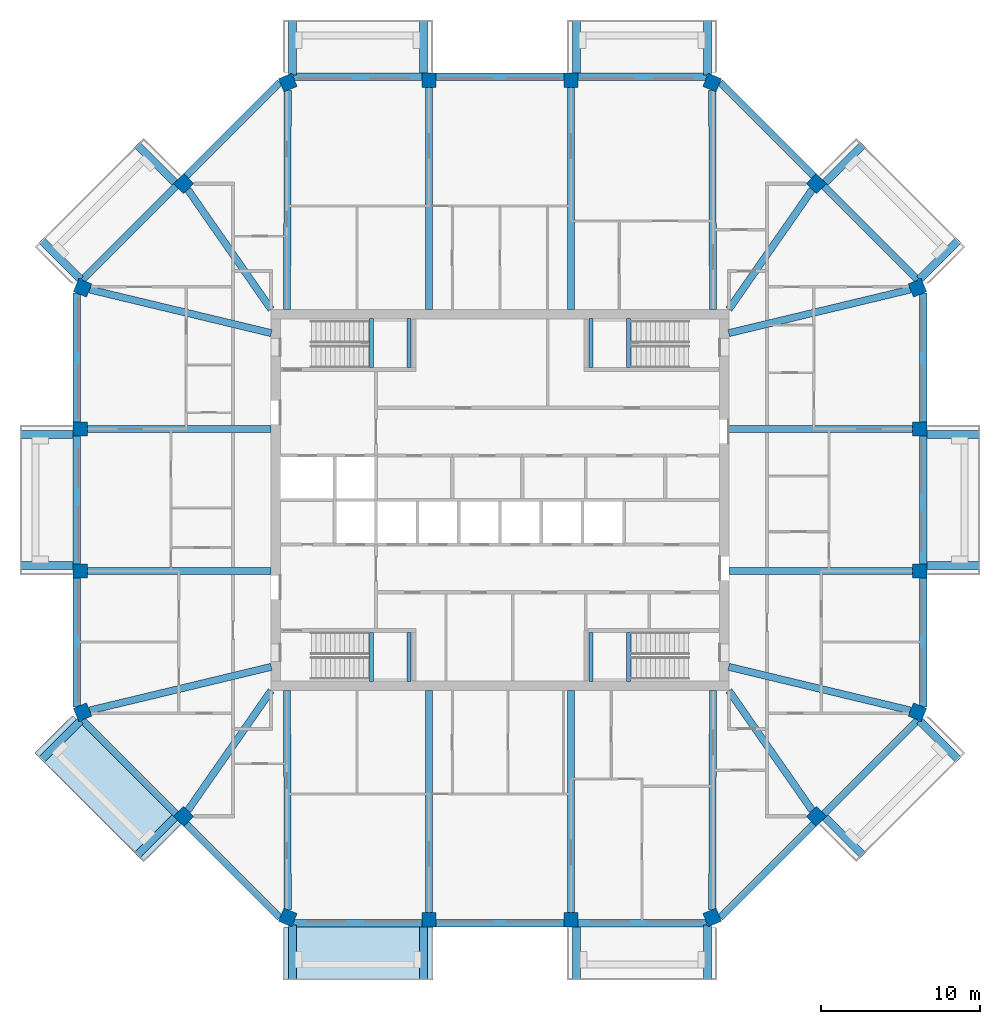
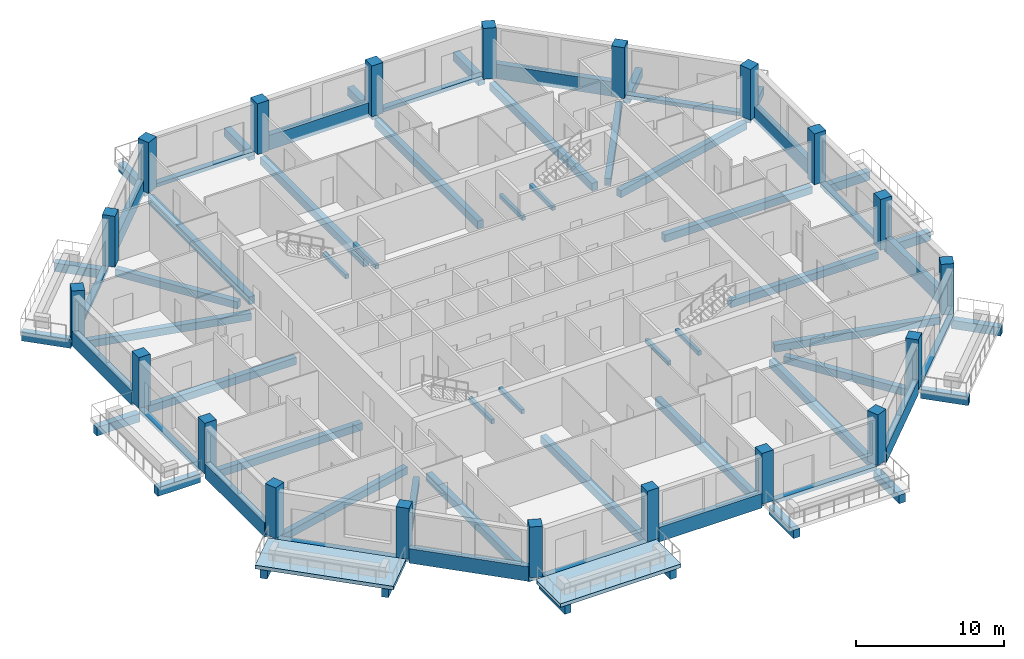
# One storey, part 1 of 12: 68 beams, 20 columns, 2 slabs.
"""IFC4 building model written with IfcOpenShell, lengths in metres."""

from ifc_helpers import new_model, si_unit, direction, frame, origin, origin_2d, place, context, subcontext, project, spatial, polyline, rectangle, outline, extrude, material, layer, layer_set, material_profile, profile_set, type_object, element, save


model = new_model("IFC4")

# Units and contexts
model_context = context("Model", 3, precision=1e-05, world=origin(), true_north=direction((0.0, 1.0)))
body_context = subcontext(model_context, "Body", "Model", "MODEL_VIEW")
ifc_project = project(units=[si_unit("LENGTHUNIT", "METRE"), si_unit("AREAUNIT", "SQUARE_METRE"), si_unit("VOLUMEUNIT", "CUBIC_METRE"), si_unit("PLANEANGLEUNIT", "RADIAN"), si_unit("MASSUNIT", "GRAM", prefix="KILO")], contexts=[model_context])

# Site, building, storey
site_placement = place(None, origin())
site = spatial("IfcSite", under=ifc_project, at=site_placement, CompositionType="ELEMENT")
building_placement = place(site_placement, origin())
building = spatial("IfcBuilding", under=site, at=building_placement, Name="Msitu Wima Residences", CompositionType="ELEMENT")
storey_placement = place(building_placement, frame((0.0, 0.0, 222.300048828125)))
storey = spatial("IfcBuildingStorey", under=building, at=storey_placement, Name="L51", CompositionType="ELEMENT", Elevation=222.300048828125)

# Columns
ifc_material_1 = material(Name="Concrete C50/60", Category="concrete")
ifc_material_profile_1 = material_profile(ifc_material_1, rectangle(XDim=0.89990234375, YDim=0.89990234375, at=origin_2d()), Name="RC 900x900")
ifc_profile_set_1 = profile_set([ifc_material_profile_1], Name="Concrete C50/60")
column_type = type_object("IfcColumnType", Name="Column RC 900x900 Concrete C50/60", PredefinedType="COLUMN", material=ifc_profile_set_1)
for number, where, z_axis, x_axis, name in (
    (1, (26.261962890625, -13.3486328125, 0.0), (0.0, 0.0, 1.0), (0.382683496864, 0.923879505795, 0.0), "Column L51 C-E0"),
    (2, (26.39990234375, -4.46875, 0.0), (0.0, 0.0, 1.0), (0.0, 1.0, 0.0), "Column L51 C-E1"),
    (3, (26.39990234375, 4.46875, 0.0), (0.0, 0.0, 1.0), (0.0, 1.0, 0.0), "Column L51 C-E2"),
    (4, (26.261962890625, 13.3486328125, 0.0), (0.0, 0.0, 1.0), (-0.382683496864, 0.923879505795, 0.0), "Column L51 C-NE0"),
    (5, (19.90283203125, 19.90283203125, 0.0), (0.0, 0.0, 1.0), (-0.707106781187, 0.707106781187, 0.0), "Column L51 C-NE1"),
    (6, (13.3486328125, 26.261962890625, 0.0), (0.0, 0.0, 1.0), (-0.923879505795, 0.382683496864, 0.0), "Column L51 C-N0"),
    (7, (4.46875, 26.39990234375, 0.0), (0.0, 0.0, 1.0), (-1.0, 0.0, 0.0), "Column L51 C-N1"),
    (8, (-4.46875, 26.39990234375, 0.0), (0.0, 0.0, 1.0), (-1.0, 0.0, 0.0), "Column L51 C-N2"),
    (9, (-13.3486328125, 26.261962890625, 0.0), (0.0, 0.0, 1.0), (-0.923879505795, -0.382683496864, 0.0), "Column L51 C-NW0"),
    (10, (-19.90283203125, 19.90283203125, 0.0), (0.0, 0.0, 1.0), (-0.707106781187, -0.707106781187, 0.0), "Column L51 C-NW1"),
    (11, (-26.261962890625, 13.3486328125, 0.0), (0.0, 0.0, 1.0), (-0.382683496864, -0.923879505795, 0.0), "Column L51 C-W0"),
    (12, (-26.39990234375, 4.46875, 0.0), (0.0, 0.0, 1.0), (0.0, -1.0, 0.0), "Column L51 C-W1"),
    (13, (-26.39990234375, -4.46875, 0.0), (0.0, 0.0, 1.0), (0.0, -1.0, 0.0), "Column L51 C-W2"),
    (14, (-26.261962890625, -13.3486328125, 0.0), (0.0, 0.0, 1.0), (0.382683496864, -0.923879505795, 0.0), "Column L51 C-SW0"),
    (15, (-19.90283203125, -19.90283203125, 0.0), (0.0, 0.0, 1.0), (0.707106781187, -0.707106781187, 0.0), "Column L51 C-SW1"),
    (16, (-13.3486328125, -26.261962890625, 0.0), (0.0, 0.0, 1.0), (0.923879505795, -0.382683496864, 0.0), "Column L51 C-S0"),
    (17, (-4.46875, -26.39990234375, 0.0), (0.0, 0.0, 1.0), (1.0, 0.0, 0.0), "Column L51 C-S1"),
    (18, (4.46875, -26.39990234375, 0.0), (0.0, 0.0, 1.0), (1.0, 0.0, 0.0), "Column L51 C-S2"),
    (19, (13.3486328125, -26.261962890625, 0.0), (0.0, 0.0, 1.0), (0.923879505795, 0.382683496864, 0.0), "Column L51 C-SE0"),
    (20, (19.90283203125, -19.90283203125, 0.0), (0.0, 0.0, 1.0), (0.707106781187, 0.707106781187, 0.0), "Column L51 C-SE1"),
):
    element("IfcColumn", number, at=place(storey_placement, frame(where, z_axis=z_axis, x_axis=x_axis)), inside=storey, type_object=column_type, Name=name, PredefinedType="COLUMN", context=body_context, shape_type="SweptSolid", body=[
        extrude(rectangle(XDim=0.89990234375, YDim=0.89990234375, at=origin_2d()), origin(), (0.0, 0.0, 1.0), 4.199951171875),
    ])

# Beams
ifc_material_profile_2 = material_profile(ifc_material_1, rectangle(XDim=0.449951171875, YDim=0.60009765625, at=origin_2d()), Name="RC 450x600")
ifc_profile_set_2 = profile_set([ifc_material_profile_2], Name="Concrete C50/60")
beam_type_1 = type_object("IfcBeamType", Name="Beam RC 450x600 Concrete C50/60", PredefinedType="BEAM", material=ifc_profile_set_2)
beam_1_placement = place(storey_placement, frame((25.819091796875, -13.242431640625, -0.550048828125), z_axis=(-0.972353359268, 0.233514335148, 0.0), x_axis=(-0.233514335148, -0.972353359268, 0.0)))
element("IfcBeam", 21, at=beam_1_placement, inside=storey, type_object=beam_type_1, Name="Beam L51 C-E0", PredefinedType="BEAM", context=body_context, shape_type="SweptSolid", body=[
    extrude(rectangle(XDim=0.449951171875, YDim=0.60009765625, at=origin_2d()), origin(), (0.0, 0.0, 1.0), 11.755615234375),
])
for number, where, z_axis, x_axis, name in (
    (22, (25.949951171875, -4.46875, -0.550048828125), (-1.0, 0.0, 0.0), (0.0, -1.0, 0.0), "Beam L51 C-E1"),
    (23, (25.949951171875, 4.46875, -0.550048828125), (-1.0, 0.0, 0.0), (0.0, -1.0, 0.0), "Beam L51 C-E2"),
):
    element("IfcBeam", number, at=place(storey_placement, frame(where, z_axis=z_axis, x_axis=x_axis)), inside=storey, type_object=beam_type_1, Name=name, PredefinedType="BEAM", context=body_context, shape_type="SweptSolid", body=[
        extrude(rectangle(XDim=0.449951171875, YDim=0.60009765625, at=origin_2d()), origin(), (0.0, 0.0, 1.0), 11.550048828125),
    ])
beam_2_placement = place(storey_placement, frame((25.819091796875, 13.242431640625, -0.550048828125), z_axis=(-0.972353359268, -0.233514335148, 0.0), x_axis=(0.233514335148, -0.972353359268, 0.0)))
element("IfcBeam", 24, at=beam_2_placement, inside=storey, type_object=beam_type_1, Name="Beam L51 C-NE0", PredefinedType="BEAM", context=body_context, shape_type="SweptSolid", body=[
    extrude(rectangle(XDim=0.449951171875, YDim=0.60009765625, at=origin_2d()), origin(), (0.0, 0.0, 1.0), 11.755615234375),
])
for number, where, z_axis, x_axis, name in (
    (25, (19.6416015625, 19.52783203125, -0.550048828125), (-0.571427822633, -0.820652328042, 0.0), (0.820652328042, -0.571427822633, 0.0), "Beam L51 C-NE1"),
    (26, (-19.6416015625, 19.52783203125, -0.550048828125), (0.571427822633, -0.820652328042, 0.0), (0.820652328042, 0.571427822633, 0.0), "Beam L51 C-NW1"),
):
    element("IfcBeam", number, at=place(storey_placement, frame(where, z_axis=z_axis, x_axis=x_axis)), inside=storey, type_object=beam_type_1, Name=name, PredefinedType="BEAM", context=body_context, shape_type="SweptSolid", body=[
        extrude(rectangle(XDim=0.449951171875, YDim=0.60009765625, at=origin_2d()), origin(), (0.0, 0.0, 1.0), 9.173095703125),
    ])
beam_3_placement = place(storey_placement, frame((-25.819091796875, 13.242431640625, -0.550048828125), z_axis=(0.972353359268, -0.233514335148, 0.0), x_axis=(0.233514335148, 0.972353359268, 0.0)))
element("IfcBeam", 27, at=beam_3_placement, inside=storey, type_object=beam_type_1, Name="Beam L51 C-W0", PredefinedType="BEAM", context=body_context, shape_type="SweptSolid", body=[
    extrude(rectangle(XDim=0.449951171875, YDim=0.60009765625, at=origin_2d()), origin(), (0.0, 0.0, 1.0), 11.755615234375),
])
for number, where, z_axis, x_axis, name in (
    (28, (-25.949951171875, 4.46875, -0.550048828125), (1.0, 0.0, 0.0), (0.0, 1.0, 0.0), "Beam L51 C-W1"),
    (29, (-25.949951171875, -4.46875, -0.550048828125), (1.0, 0.0, 0.0), (0.0, 1.0, 0.0), "Beam L51 C-W2"),
):
    element("IfcBeam", number, at=place(storey_placement, frame(where, z_axis=z_axis, x_axis=x_axis)), inside=storey, type_object=beam_type_1, Name=name, PredefinedType="BEAM", context=body_context, shape_type="SweptSolid", body=[
        extrude(rectangle(XDim=0.449951171875, YDim=0.60009765625, at=origin_2d()), origin(), (0.0, 0.0, 1.0), 11.550048828125),
    ])
beam_4_placement = place(storey_placement, frame((-25.819091796875, -13.242431640625, -0.550048828125), z_axis=(0.972353359268, 0.233514335148, 0.0), x_axis=(-0.233514335148, 0.972353359268, 0.0)))
element("IfcBeam", 30, at=beam_4_placement, inside=storey, type_object=beam_type_1, Name="Beam L51 C-SW0", PredefinedType="BEAM", context=body_context, shape_type="SweptSolid", body=[
    extrude(rectangle(XDim=0.449951171875, YDim=0.60009765625, at=origin_2d()), origin(), (0.0, 0.0, 1.0), 11.755615234375),
])
for number, where, z_axis, x_axis, name in (
    (31, (-19.6416015625, -19.52783203125, -0.550048828125), (0.571427822633, 0.820652328042, 0.0), (-0.820652328042, 0.571427822633, 0.0), "Beam L51 C-SW1"),
    (32, (19.6416015625, -19.52783203125, -0.550048828125), (-0.571427822633, 0.820652328042, 0.0), (-0.820652328042, -0.571427822633, 0.0), "Beam L51 C-SE1"),
):
    element("IfcBeam", number, at=place(storey_placement, frame(where, z_axis=z_axis, x_axis=x_axis)), inside=storey, type_object=beam_type_1, Name=name, PredefinedType="BEAM", context=body_context, shape_type="SweptSolid", body=[
        extrude(rectangle(XDim=0.449951171875, YDim=0.60009765625, at=origin_2d()), origin(), (0.0, 0.0, 1.0), 9.173095703125),
    ])
ifc_material_profile_3 = material_profile(ifc_material_1, rectangle(XDim=0.449951171875, YDim=0.64990234375, at=origin_2d()), Name="RC 450x650")
ifc_profile_set_3 = profile_set([ifc_material_profile_3], Name="Concrete C50/60")
beam_type_2 = type_object("IfcBeamType", Name="Beam RC 450x650 Concrete C50/60", PredefinedType="BEAM", material=ifc_profile_set_3)
beam_5_placement = place(storey_placement, frame((13.3505859375, 25.774169921875, -0.574951171875), z_axis=(0.003594933206, -0.999993538207, 0.0), x_axis=(0.999993538207, 0.003594933206, 0.0)))
element("IfcBeam", 33, at=beam_5_placement, inside=storey, type_object=beam_type_2, Name="Beam L51 C-N0", PredefinedType="BEAM", context=body_context, shape_type="SweptSolid", body=[
    extrude(rectangle(XDim=0.449951171875, YDim=0.64990234375, at=origin_2d()), origin(), (0.0, 0.0, 1.0), 13.7861328125),
])
for number, where, z_axis, x_axis, name in (
    (34, (4.46875, 25.949951171875, -0.574951171875), (0.0, -1.0, 0.0), (1.0, 0.0, 0.0), "Beam L51 C-N1"),
    (35, (-4.46875, 25.949951171875, -0.574951171875), (0.0, -1.0, 0.0), (1.0, 0.0, 0.0), "Beam L51 C-N2"),
):
    element("IfcBeam", number, at=place(storey_placement, frame(where, z_axis=z_axis, x_axis=x_axis)), inside=storey, type_object=beam_type_2, Name=name, PredefinedType="BEAM", context=body_context, shape_type="SweptSolid", body=[
        extrude(rectangle(XDim=0.449951171875, YDim=0.64990234375, at=origin_2d()), origin(), (0.0, 0.0, 1.0), 13.949951171875),
    ])
for number, where, z_axis, x_axis, name in (
    (36, (-13.3505859375, 25.774169921875, -0.574951171875), (-0.003594933206, -0.999993538207, 0.0), (0.999993538207, -0.003594933206, 0.0), "Beam L51 C-NW0"),
    (37, (-13.3505859375, -25.774169921875, -0.574951171875), (-0.003594933206, 0.999993538207, 0.0), (-0.999993538207, -0.003594933206, 0.0), "Beam L51 C-S0"),
):
    element("IfcBeam", number, at=place(storey_placement, frame(where, z_axis=z_axis, x_axis=x_axis)), inside=storey, type_object=beam_type_2, Name=name, PredefinedType="BEAM", context=body_context, shape_type="SweptSolid", body=[
        extrude(rectangle(XDim=0.449951171875, YDim=0.64990234375, at=origin_2d()), origin(), (0.0, 0.0, 1.0), 13.7861328125),
    ])
for number, where, z_axis, x_axis, name in (
    (38, (-4.46875, -25.949951171875, -0.574951171875), (0.0, 1.0, 0.0), (-1.0, 0.0, 0.0), "Beam L51 C-S1"),
    (39, (4.46875, -25.949951171875, -0.574951171875), (0.0, 1.0, 0.0), (-1.0, 0.0, 0.0), "Beam L51 C-S2"),
):
    element("IfcBeam", number, at=place(storey_placement, frame(where, z_axis=z_axis, x_axis=x_axis)), inside=storey, type_object=beam_type_2, Name=name, PredefinedType="BEAM", context=body_context, shape_type="SweptSolid", body=[
        extrude(rectangle(XDim=0.449951171875, YDim=0.64990234375, at=origin_2d()), origin(), (0.0, 0.0, 1.0), 13.949951171875),
    ])
beam_6_placement = place(storey_placement, frame((13.3505859375, -25.774169921875, -0.574951171875), z_axis=(0.003594933206, 0.999993538207, 0.0), x_axis=(-0.999993538207, 0.003594933206, 0.0)))
element("IfcBeam", 40, at=beam_6_placement, inside=storey, type_object=beam_type_2, Name="Beam L51 C-SE0", PredefinedType="BEAM", context=body_context, shape_type="SweptSolid", body=[
    extrude(rectangle(XDim=0.449951171875, YDim=0.64990234375, at=origin_2d()), origin(), (0.0, 0.0, 1.0), 13.7861328125),
])
ifc_material_profile_4 = material_profile(ifc_material_1, rectangle(XDim=0.5, YDim=0.699951171875, at=origin_2d()), Name="RC 500x700")
ifc_profile_set_4 = profile_set([ifc_material_profile_4], Name="Concrete C50/60")
beam_type_3 = type_object("IfcBeamType", Name="Cantilever beam RC 500x700 Concrete C50/60", PredefinedType="BEAM", material=ifc_profile_set_4)
for number, where, z_axis, x_axis, name in (
    (41, (26.85009765625, -4.11865234375, -0.650146484375), (1.0, 0.0, 0.0), (0.0, 1.0, 0.0), "Cantilever beam L51 BA-E1 A"),
    (42, (26.85009765625, 4.11865234375, -0.650146484375), (1.0, 0.0, 0.0), (0.0, 1.0, 0.0), "Cantilever beam L51 BA-E1 B"),
):
    element("IfcBeam", number, at=place(storey_placement, frame(where, z_axis=z_axis, x_axis=x_axis)), inside=storey, type_object=beam_type_3, Name=name, PredefinedType="BEAM", context=body_context, shape_type="SweptSolid", body=[
        extrude(rectangle(XDim=0.5, YDim=0.699951171875, at=origin_2d()), origin(), (0.0, 0.0, 1.0), 3.349853515625),
    ])
beam_7_placement = place(storey_placement, frame((26.386474609375, 13.887451171875, -0.650146484375), z_axis=(0.707141968506, 0.707071592116, 0.0), x_axis=(-0.707071592116, 0.707141968506, 0.0)))
element("IfcBeam", 43, at=beam_7_placement, inside=storey, type_object=beam_type_3, Name="Cantilever beam L51 BA-NE0 A", PredefinedType="BEAM", context=body_context, shape_type="SweptSolid", body=[
    extrude(rectangle(XDim=0.5, YDim=0.699951171875, at=origin_2d()), origin(), (0.0, 0.0, 1.0), 3.468994140625),
])
beam_8_placement = place(storey_placement, frame((20.46875, 19.9736328125, -0.650146484375), z_axis=(0.707070340836, 0.707143219659, 0.0), x_axis=(-0.707143219659, 0.707070340836, 0.0)))
element("IfcBeam", 44, at=beam_8_placement, inside=storey, type_object=beam_type_3, Name="Cantilever beam L51 BA-NE0 B", PredefinedType="BEAM", context=body_context, shape_type="SweptSolid", body=[
    extrude(rectangle(XDim=0.5, YDim=0.699951171875, at=origin_2d()), origin(), (0.0, 0.0, 1.0), 3.349853515625),
])
beam_9_placement = place(storey_placement, frame((13.055908203125, 26.73095703125, -0.650146484375), z_axis=(0.0, 1.0, 0.0), x_axis=(-1.0, 0.0, 0.0)))
element("IfcBeam", 45, at=beam_9_placement, inside=storey, type_object=beam_type_3, Name="Cantilever beam L51 BA-N0 A", PredefinedType="BEAM", context=body_context, shape_type="SweptSolid", body=[
    extrude(rectangle(XDim=0.5, YDim=0.699951171875, at=origin_2d()), origin(), (0.0, 0.0, 1.0), 3.468994140625),
])
for number, where, z_axis, x_axis, name in (
    (46, (4.818603515625, 26.85009765625, -0.650146484375), (0.0, 1.0, 0.0), (-1.0, 0.0, 0.0), "Cantilever beam L51 BA-N0 B"),
    (47, (-4.818603515625, 26.85009765625, -0.650146484375), (0.0, 1.0, 0.0), (-1.0, 0.0, 0.0), "Cantilever beam L51 BA-N2 A"),
):
    element("IfcBeam", number, at=place(storey_placement, frame(where, z_axis=z_axis, x_axis=x_axis)), inside=storey, type_object=beam_type_3, Name=name, PredefinedType="BEAM", context=body_context, shape_type="SweptSolid", body=[
        extrude(rectangle(XDim=0.5, YDim=0.699951171875, at=origin_2d()), origin(), (0.0, 0.0, 1.0), 3.349853515625),
    ])
beam_10_placement = place(storey_placement, frame((-13.055908203125, 26.73095703125, -0.650146484375), z_axis=(0.0, 1.0, 0.0), x_axis=(-1.0, 0.0, 0.0)))
element("IfcBeam", 48, at=beam_10_placement, inside=storey, type_object=beam_type_3, Name="Cantilever beam L51 BA-N2 B", PredefinedType="BEAM", context=body_context, shape_type="SweptSolid", body=[
    extrude(rectangle(XDim=0.5, YDim=0.699951171875, at=origin_2d()), origin(), (0.0, 0.0, 1.0), 3.468994140625),
])
beam_11_placement = place(storey_placement, frame((-20.46875, 19.9736328125, -0.650146484375), z_axis=(-0.707070340836, 0.707143219659, 0.0), x_axis=(-0.707143219659, -0.707070340836, 0.0)))
element("IfcBeam", 49, at=beam_11_placement, inside=storey, type_object=beam_type_3, Name="Cantilever beam L51 BA-NW1 A", PredefinedType="BEAM", context=body_context, shape_type="SweptSolid", body=[
    extrude(rectangle(XDim=0.5, YDim=0.699951171875, at=origin_2d()), origin(), (0.0, 0.0, 1.0), 3.349853515625),
])
beam_12_placement = place(storey_placement, frame((-26.386474609375, 13.887451171875, -0.650146484375), z_axis=(-0.707141968506, 0.707071592116, 0.0), x_axis=(-0.707071592116, -0.707141968506, 0.0)))
element("IfcBeam", 50, at=beam_12_placement, inside=storey, type_object=beam_type_3, Name="Cantilever beam L51 BA-NW1 B", PredefinedType="BEAM", context=body_context, shape_type="SweptSolid", body=[
    extrude(rectangle(XDim=0.5, YDim=0.699951171875, at=origin_2d()), origin(), (0.0, 0.0, 1.0), 3.468994140625),
])
for number, where, z_axis, x_axis, name in (
    (51, (-26.85009765625, 4.11865234375, -0.650146484375), (-1.0, 0.0, 0.0), (0.0, -1.0, 0.0), "Cantilever beam L51 BA-W1 A"),
    (52, (-26.85009765625, -4.11865234375, -0.650146484375), (-1.0, 0.0, 0.0), (0.0, -1.0, 0.0), "Cantilever beam L51 BA-W1 B"),
):
    element("IfcBeam", number, at=place(storey_placement, frame(where, z_axis=z_axis, x_axis=x_axis)), inside=storey, type_object=beam_type_3, Name=name, PredefinedType="BEAM", context=body_context, shape_type="SweptSolid", body=[
        extrude(rectangle(XDim=0.5, YDim=0.699951171875, at=origin_2d()), origin(), (0.0, 0.0, 1.0), 3.349853515625),
    ])
beam_13_placement = place(storey_placement, frame((-26.386474609375, -13.887451171875, -0.650146484375), z_axis=(-0.707141968506, -0.707071592116, 0.0), x_axis=(0.707071592116, -0.707141968506, 0.0)))
element("IfcBeam", 53, at=beam_13_placement, inside=storey, type_object=beam_type_3, Name="Cantilever beam L51 BA-SW0 A", PredefinedType="BEAM", context=body_context, shape_type="SweptSolid", body=[
    extrude(rectangle(XDim=0.5, YDim=0.699951171875, at=origin_2d()), origin(), (0.0, 0.0, 1.0), 3.468994140625),
])
beam_14_placement = place(storey_placement, frame((-20.46875, -19.9736328125, -0.650146484375), z_axis=(-0.707070340836, -0.707143219659, 0.0), x_axis=(0.707143219659, -0.707070340836, 0.0)))
element("IfcBeam", 54, at=beam_14_placement, inside=storey, type_object=beam_type_3, Name="Cantilever beam L51 BA-SW0 B", PredefinedType="BEAM", context=body_context, shape_type="SweptSolid", body=[
    extrude(rectangle(XDim=0.5, YDim=0.699951171875, at=origin_2d()), origin(), (0.0, 0.0, 1.0), 3.349853515625),
])
beam_15_placement = place(storey_placement, frame((-13.055908203125, -26.73095703125, -0.650146484375), z_axis=(0.0, -1.0, 0.0), x_axis=(1.0, 0.0, 0.0)))
element("IfcBeam", 55, at=beam_15_placement, inside=storey, type_object=beam_type_3, Name="Cantilever beam L51 BA-S0 A", PredefinedType="BEAM", context=body_context, shape_type="SweptSolid", body=[
    extrude(rectangle(XDim=0.5, YDim=0.699951171875, at=origin_2d()), origin(), (0.0, 0.0, 1.0), 3.468994140625),
])
for number, where, z_axis, x_axis, name in (
    (56, (-4.818603515625, -26.85009765625, -0.650146484375), (0.0, -1.0, 0.0), (1.0, 0.0, 0.0), "Cantilever beam L51 BA-S0 B"),
    (57, (4.818603515625, -26.85009765625, -0.650146484375), (0.0, -1.0, 0.0), (1.0, 0.0, 0.0), "Cantilever beam L51 BA-S2 A"),
):
    element("IfcBeam", number, at=place(storey_placement, frame(where, z_axis=z_axis, x_axis=x_axis)), inside=storey, type_object=beam_type_3, Name=name, PredefinedType="BEAM", context=body_context, shape_type="SweptSolid", body=[
        extrude(rectangle(XDim=0.5, YDim=0.699951171875, at=origin_2d()), origin(), (0.0, 0.0, 1.0), 3.349853515625),
    ])
beam_16_placement = place(storey_placement, frame((13.055908203125, -26.73095703125, -0.650146484375), z_axis=(0.0, -1.0, 0.0), x_axis=(1.0, 0.0, 0.0)))
element("IfcBeam", 58, at=beam_16_placement, inside=storey, type_object=beam_type_3, Name="Cantilever beam L51 BA-S2 B", PredefinedType="BEAM", context=body_context, shape_type="SweptSolid", body=[
    extrude(rectangle(XDim=0.5, YDim=0.699951171875, at=origin_2d()), origin(), (0.0, 0.0, 1.0), 3.468994140625),
])
beam_17_placement = place(storey_placement, frame((20.46875, -19.9736328125, -0.650146484375), z_axis=(0.707070340836, -0.707143219659, 0.0), x_axis=(0.707143219659, 0.707070340836, 0.0)))
element("IfcBeam", 59, at=beam_17_placement, inside=storey, type_object=beam_type_3, Name="Cantilever beam L51 BA-SE1 A", PredefinedType="BEAM", context=body_context, shape_type="SweptSolid", body=[
    extrude(rectangle(XDim=0.5, YDim=0.699951171875, at=origin_2d()), origin(), (0.0, 0.0, 1.0), 3.349853515625),
])
beam_18_placement = place(storey_placement, frame((26.386474609375, -13.887451171875, -0.650146484375), z_axis=(0.707141968506, -0.707071592116, 0.0), x_axis=(0.707071592116, 0.707141968506, 0.0)))
element("IfcBeam", 60, at=beam_18_placement, inside=storey, type_object=beam_type_3, Name="Cantilever beam L51 BA-SE1 B", PredefinedType="BEAM", context=body_context, shape_type="SweptSolid", body=[
    extrude(rectangle(XDim=0.5, YDim=0.699951171875, at=origin_2d()), origin(), (0.0, 0.0, 1.0), 3.468994140625),
])
ifc_material_profile_5 = material_profile(ifc_material_1, rectangle(XDim=0.449951171875, YDim=0.300048828125, at=origin_2d()), Name="RC 450x300")
ifc_profile_set_5 = profile_set([ifc_material_profile_5], Name="Concrete C50/60")
beam_type_4 = type_object("IfcBeamType", Name="Edge beam RC 450x300 Concrete C50/60", PredefinedType="SPANDREL", material=ifc_profile_set_5)
beam_19_placement = place(storey_placement, frame((26.625, -4.0185546875, -0.150146484375), z_axis=(0.0, 1.0, 0.0), x_axis=(-1.0, 0.0, 0.0)))
element("IfcBeam", 61, at=beam_19_placement, inside=storey, type_object=beam_type_4, Name="Spandrel L51 E1", PredefinedType="SPANDREL", context=body_context, shape_type="SweptSolid", body=[
    extrude(rectangle(XDim=0.449951171875, YDim=0.300048828125, at=origin_2d()), origin(), (0.0, 0.0, 1.0), 8.037109375),
])
beam_20_placement = place(storey_placement, frame((26.2890625, 13.8349609375, -0.150146484375), z_axis=(-0.707106781187, 0.707106781187, 0.0), x_axis=(-0.707106781187, -0.707106781187, 0.0)))
element("IfcBeam", 62, at=beam_20_placement, inside=storey, type_object=beam_type_4, Name="Spandrel L51 NE0", PredefinedType="SPANDREL", context=body_context, shape_type="SweptSolid", body=[
    extrude(rectangle(XDim=0.449951171875, YDim=0.300048828125, at=origin_2d()), origin(), (0.0, 0.0, 1.0), 8.3564453125),
])
for number, where, z_axis, x_axis, name in (
    (63, (13.02392578125, 26.625, -0.150146484375), (-1.0, 0.0, 0.0), (0.0, -1.0, 0.0), "Spandrel L51 N0"),
    (64, (-4.918701171875, 26.625, -0.150146484375), (-1.0, 0.0, 0.0), (0.0, -1.0, 0.0), "Spandrel L51 N2"),
):
    element("IfcBeam", number, at=place(storey_placement, frame(where, z_axis=z_axis, x_axis=x_axis)), inside=storey, type_object=beam_type_4, Name=name, PredefinedType="SPANDREL", context=body_context, shape_type="SweptSolid", body=[
        extrude(rectangle(XDim=0.449951171875, YDim=0.300048828125, at=origin_2d()), origin(), (0.0, 0.0, 1.0), 8.105224609375),
    ])
beam_21_placement = place(storey_placement, frame((-20.380126953125, 19.743896484375, -0.150146484375), z_axis=(-0.707106781187, -0.707106781187, 0.0), x_axis=(0.707106781187, -0.707106781187, 0.0)))
element("IfcBeam", 65, at=beam_21_placement, inside=storey, type_object=beam_type_4, Name="Spandrel L51 NW1", PredefinedType="SPANDREL", context=body_context, shape_type="SweptSolid", body=[
    extrude(rectangle(XDim=0.449951171875, YDim=0.300048828125, at=origin_2d()), origin(), (0.0, 0.0, 1.0), 8.3564453125),
])
beam_22_placement = place(storey_placement, frame((-26.625, 4.0185546875, -0.150146484375), z_axis=(0.0, -1.0, 0.0), x_axis=(1.0, 0.0, 0.0)))
element("IfcBeam", 66, at=beam_22_placement, inside=storey, type_object=beam_type_4, Name="Spandrel L51 W1", PredefinedType="SPANDREL", context=body_context, shape_type="SweptSolid", body=[
    extrude(rectangle(XDim=0.449951171875, YDim=0.300048828125, at=origin_2d()), origin(), (0.0, 0.0, 1.0), 8.037109375),
])
beam_23_placement = place(storey_placement, frame((-26.2890625, -13.8349609375, -0.150146484375), z_axis=(0.707106781187, -0.707106781187, 0.0), x_axis=(0.707106781187, 0.707106781187, 0.0)))
element("IfcBeam", 67, at=beam_23_placement, inside=storey, type_object=beam_type_4, Name="Spandrel L51 SW0", PredefinedType="SPANDREL", context=body_context, shape_type="SweptSolid", body=[
    extrude(rectangle(XDim=0.449951171875, YDim=0.300048828125, at=origin_2d()), origin(), (0.0, 0.0, 1.0), 8.3564453125),
])
for number, where, z_axis, x_axis, name in (
    (68, (-13.02392578125, -26.625, -0.150146484375), (1.0, 0.0, 0.0), (0.0, 1.0, 0.0), "Spandrel L51 S0"),
    (69, (4.918701171875, -26.625, -0.150146484375), (1.0, 0.0, 0.0), (0.0, 1.0, 0.0), "Spandrel L51 S2"),
):
    element("IfcBeam", number, at=place(storey_placement, frame(where, z_axis=z_axis, x_axis=x_axis)), inside=storey, type_object=beam_type_4, Name=name, PredefinedType="SPANDREL", context=body_context, shape_type="SweptSolid", body=[
        extrude(rectangle(XDim=0.449951171875, YDim=0.300048828125, at=origin_2d()), origin(), (0.0, 0.0, 1.0), 8.105224609375),
    ])
beam_24_placement = place(storey_placement, frame((20.380126953125, -19.743896484375, -0.150146484375), z_axis=(0.707106781187, 0.707106781187, 0.0), x_axis=(-0.707106781187, 0.707106781187, 0.0)))
element("IfcBeam", 70, at=beam_24_placement, inside=storey, type_object=beam_type_4, Name="Spandrel L51 SE1", PredefinedType="SPANDREL", context=body_context, shape_type="SweptSolid", body=[
    extrude(rectangle(XDim=0.449951171875, YDim=0.300048828125, at=origin_2d()), origin(), (0.0, 0.0, 1.0), 8.3564453125),
])
ifc_material_2 = material(Name="Concrete C40/50", Category="concrete")
ifc_material_profile_6 = material_profile(ifc_material_2, rectangle(XDim=0.25, YDim=0.35009765625, at=origin_2d()), Name="RC 250x350")
ifc_profile_set_6 = profile_set([ifc_material_profile_6], Name="Concrete C40/50")
beam_type_5 = type_object("IfcBeamType", Name="Landing beam RC 250x350", PredefinedType="BEAM", material=ifc_profile_set_6)
for number, where, z_axis, x_axis, name in (
    (71, (-8.074951171875, 8.324951171875, 1.724853515625), (0.0, 1.0, 0.0), (-1.0, 0.0, 0.0), "Stair 1 landing beam"),
    (72, (-5.72509765625, 8.324951171875, 1.724853515625), (0.0, 1.0, 0.0), (-1.0, 0.0, 0.0), "Stair 1 landing beam"),
    (73, (-8.074951171875, -11.425048828125, 1.724853515625), (0.0, 1.0, 0.0), (-1.0, 0.0, 0.0), "Stair 2 landing beam"),
    (74, (-5.72509765625, -11.425048828125, 1.724853515625), (0.0, 1.0, 0.0), (-1.0, 0.0, 0.0), "Stair 2 landing beam"),
    (75, (8.074951171875, 8.324951171875, 1.724853515625), (0.0, 1.0, 0.0), (-1.0, 0.0, 0.0), "Stair 3 landing beam"),
    (76, (5.72509765625, 8.324951171875, 1.724853515625), (0.0, 1.0, 0.0), (-1.0, 0.0, 0.0), "Stair 3 landing beam"),
    (77, (8.074951171875, -11.425048828125, 1.724853515625), (0.0, 1.0, 0.0), (-1.0, 0.0, 0.0), "Stair 4 landing beam"),
    (78, (5.72509765625, -11.425048828125, 1.724853515625), (0.0, 1.0, 0.0), (-1.0, 0.0, 0.0), "Stair 4 landing beam"),
):
    element("IfcBeam", number, at=place(storey_placement, frame(where, z_axis=z_axis, x_axis=x_axis)), inside=storey, type_object=beam_type_5, Name=name, PredefinedType="BEAM", context=body_context, shape_type="SweptSolid", body=[
        extrude(rectangle(XDim=0.25, YDim=0.35009765625, at=origin_2d()), origin(), (0.0, 0.0, 1.0), 3.10009765625),
    ])
ifc_material_profile_7 = material_profile(ifc_material_1, rectangle(XDim=0.449951171875, YDim=1.199951171875, at=origin_2d()), Name="RC 450x1200")
ifc_profile_set_7 = profile_set([ifc_material_profile_7], Name="Concrete C50/60")
beam_type_6 = type_object("IfcBeamType", Name="Spandrel RC 450x1200 Concrete C50/60", PredefinedType="SPANDREL", material=ifc_profile_set_7)
for number, where, z_axis, x_axis, name in (
    (79, (26.625, -13.02392578125, 0.300048828125), (0.0, 1.0, 0.0), (-1.0, 0.0, 0.0), "Spandrel L51 E0"),
    (80, (26.625, 4.918701171875, 0.300048828125), (0.0, 1.0, 0.0), (-1.0, 0.0, 0.0), "Spandrel L51 E2"),
):
    element("IfcBeam", number, at=place(storey_placement, frame(where, z_axis=z_axis, x_axis=x_axis)), inside=storey, type_object=beam_type_6, Name=name, PredefinedType="SPANDREL", context=body_context, shape_type="SweptSolid", body=[
        extrude(rectangle(XDim=0.449951171875, YDim=1.199951171875, at=origin_2d()), origin(), (0.0, 0.0, 1.0), 8.105224609375),
    ])
beam_25_placement = place(storey_placement, frame((19.743896484375, 20.380126953125, 0.300048828125), z_axis=(-0.707106781187, 0.707106781187, 0.0), x_axis=(-0.707106781187, -0.707106781187, 0.0)))
element("IfcBeam", 81, at=beam_25_placement, inside=storey, type_object=beam_type_6, Name="Spandrel L51 NE1", PredefinedType="SPANDREL", context=body_context, shape_type="SweptSolid", body=[
    extrude(rectangle(XDim=0.449951171875, YDim=1.199951171875, at=origin_2d()), origin(), (0.0, 0.0, 1.0), 8.3564453125),
])
beam_26_placement = place(storey_placement, frame((4.0185546875, 26.625, 0.300048828125), z_axis=(-1.0, 0.0, 0.0), x_axis=(0.0, -1.0, 0.0)))
element("IfcBeam", 82, at=beam_26_placement, inside=storey, type_object=beam_type_6, Name="Spandrel L51 N1", PredefinedType="SPANDREL", context=body_context, shape_type="SweptSolid", body=[
    extrude(rectangle(XDim=0.449951171875, YDim=1.199951171875, at=origin_2d()), origin(), (0.0, 0.0, 1.0), 8.037109375),
])
beam_27_placement = place(storey_placement, frame((-13.8349609375, 26.2890625, 0.300048828125), z_axis=(-0.707106781187, -0.707106781187, 0.0), x_axis=(0.707106781187, -0.707106781187, 0.0)))
element("IfcBeam", 83, at=beam_27_placement, inside=storey, type_object=beam_type_6, Name="Spandrel L51 NW0", PredefinedType="SPANDREL", context=body_context, shape_type="SweptSolid", body=[
    extrude(rectangle(XDim=0.449951171875, YDim=1.199951171875, at=origin_2d()), origin(), (0.0, 0.0, 1.0), 8.3564453125),
])
for number, where, z_axis, x_axis, name in (
    (84, (-26.625, 13.02392578125, 0.300048828125), (0.0, -1.0, 0.0), (1.0, 0.0, 0.0), "Spandrel L51 W0"),
    (85, (-26.625, -4.918701171875, 0.300048828125), (0.0, -1.0, 0.0), (1.0, 0.0, 0.0), "Spandrel L51 W2"),
):
    element("IfcBeam", number, at=place(storey_placement, frame(where, z_axis=z_axis, x_axis=x_axis)), inside=storey, type_object=beam_type_6, Name=name, PredefinedType="SPANDREL", context=body_context, shape_type="SweptSolid", body=[
        extrude(rectangle(XDim=0.449951171875, YDim=1.199951171875, at=origin_2d()), origin(), (0.0, 0.0, 1.0), 8.105224609375),
    ])
beam_28_placement = place(storey_placement, frame((-19.743896484375, -20.380126953125, 0.300048828125), z_axis=(0.707106781187, -0.707106781187, 0.0), x_axis=(0.707106781187, 0.707106781187, 0.0)))
element("IfcBeam", 86, at=beam_28_placement, inside=storey, type_object=beam_type_6, Name="Spandrel L51 SW1", PredefinedType="SPANDREL", context=body_context, shape_type="SweptSolid", body=[
    extrude(rectangle(XDim=0.449951171875, YDim=1.199951171875, at=origin_2d()), origin(), (0.0, 0.0, 1.0), 8.3564453125),
])
beam_29_placement = place(storey_placement, frame((-4.0185546875, -26.625, 0.300048828125), z_axis=(1.0, 0.0, 0.0), x_axis=(0.0, 1.0, 0.0)))
element("IfcBeam", 87, at=beam_29_placement, inside=storey, type_object=beam_type_6, Name="Spandrel L51 S1", PredefinedType="SPANDREL", context=body_context, shape_type="SweptSolid", body=[
    extrude(rectangle(XDim=0.449951171875, YDim=1.199951171875, at=origin_2d()), origin(), (0.0, 0.0, 1.0), 8.037109375),
])
beam_30_placement = place(storey_placement, frame((13.8349609375, -26.2890625, 0.300048828125), z_axis=(0.707106781187, 0.707106781187, 0.0), x_axis=(-0.707106781187, 0.707106781187, 0.0)))
element("IfcBeam", 88, at=beam_30_placement, inside=storey, type_object=beam_type_6, Name="Spandrel L51 SE0", PredefinedType="SPANDREL", context=body_context, shape_type="SweptSolid", body=[
    extrude(rectangle(XDim=0.449951171875, YDim=1.199951171875, at=origin_2d()), origin(), (0.0, 0.0, 1.0), 8.3564453125),
])

# Slabs
ifc_layer = layer(ifc_material_2, 0.300048828125)
ifc_layer_set = layer_set([ifc_layer], Name="Concrete C40/50")
slab_type = type_object("IfcSlabType", Name="Balcony slab BS300", PredefinedType="FLOOR", material=ifc_layer_set)
slab_1_placement = place(storey_placement, frame((0.0, 0.0, -0.300048828125)))
element("IfcSlab", 89, at=slab_1_placement, inside=storey, type_object=slab_type, Name="Balcony SW0 L51", PredefinedType="FLOOR", context=body_context, shape_type="SweptSolid", body=[
    extrude(outline(polyline([(-26.505615234375, -13.936767578125), (-26.505615234375, -13.936767578125), (-20.04443359375, -20.39794921875), (-22.4130859375, -22.766845703125), (-29.263671875, -15.916015625), (-27.003662109375, -13.656005859375), (-26.85009765625, -13.59228515625), (-26.505615234375, -13.936767578125), (-26.505615234375, -13.936767578125)])), origin(), (0.0, 0.0, 1.0), 0.300048828125),
])
slab_2_placement = place(storey_placement, frame((0.0, 0.0, -0.300048828125)))
element("IfcSlab", 90, at=slab_2_placement, inside=storey, type_object=slab_type, Name="Balcony S0 L51", PredefinedType="FLOOR", context=body_context, shape_type="SweptSolid", body=[
    extrude(outline(polyline([(-13.105224609375, -26.85009765625), (-13.105224609375, -26.85009765625), (-4.918701171875, -26.85009765625), (-4.21875, -26.85009765625), (-4.21875, -30.199951171875), (-13.656005859375, -30.199951171875), (-13.656005859375, -27.003662109375), (-13.59228515625, -26.85009765625), (-13.105224609375, -26.85009765625), (-13.105224609375, -26.85009765625)])), origin(), (0.0, 0.0, 1.0), 0.300048828125),
])

save(model, "model.ifc")
